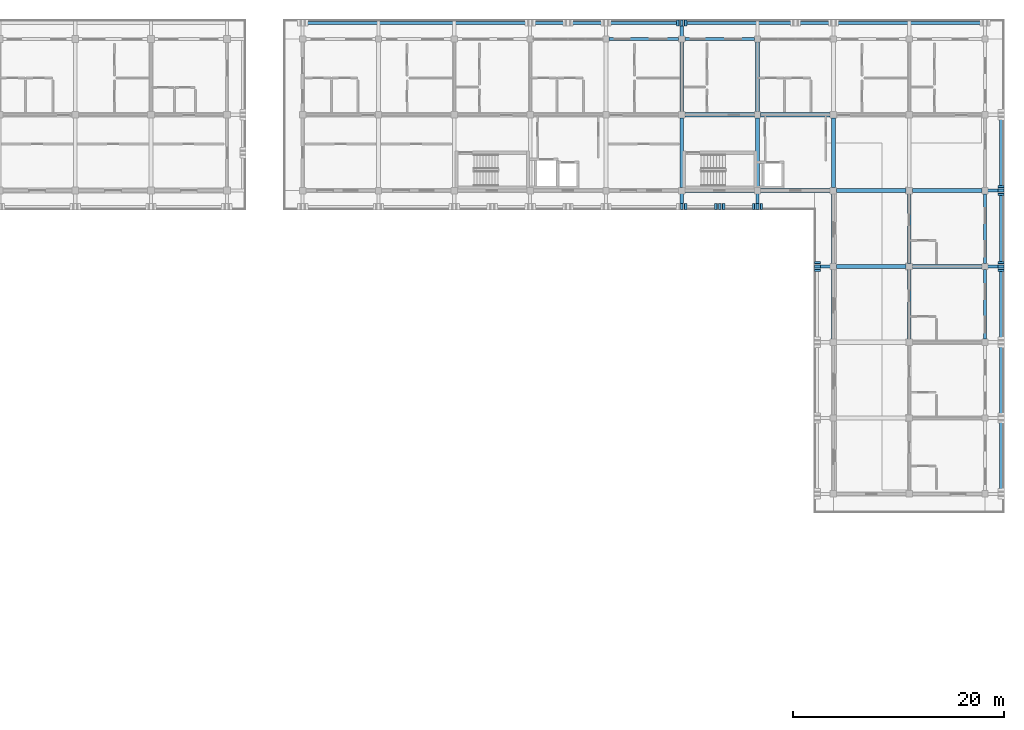
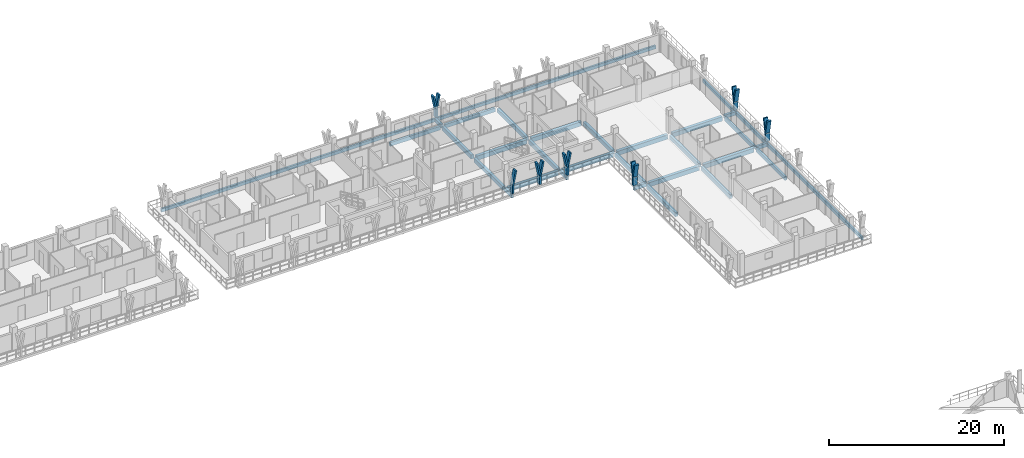
# One storey, part 30 of 76: 29 beams, 20 members.
"""IFC4 building model written with IfcOpenShell, lengths in metres."""

import ifcopenshell
import ifcopenshell.guid

model = None  # the IFC model being written
_history = None  # IfcOwnerHistory: only IFC2X3 demands one
_inside = {}  # id of a spatial element -> (the spatial element, [elements in it])
_under = {}  # id of a project, library or spatial element -> (it, [spatial elements below it])
_declared = {}  # id of a project -> (the project, [libraries it declares])
_typed = {}  # id of a type object -> (the type object, [elements of that type])
_made_of = {}  # id of a material, layer set ... -> (it, [elements and type objects made of it])


def new_model(schema):
    """Start an empty IFC model of exactly this schema.

    Asked for "IFC4X3", IfcOpenShell would pick the latest addendum, in which some entities
    have other attributes; the version numbers below select the first issue.
    IFC2X3 requires an IfcOwnerHistory on every rooted entity: one is made here for all.
    """
    global model, _history
    if schema == "IFC4X3":
        model = ifcopenshell.file(schema_version=(4, 3, 0, 0))
    else:
        model = ifcopenshell.file(schema=schema)
    _inside.clear()
    _under.clear()
    _declared.clear()
    _typed.clear()
    _made_of.clear()
    _history = None
    if model.schema == "IFC2X3":
        org = make("IfcOrganization", Name="unknown")
        user = make(
            "IfcPersonAndOrganization",
            ThePerson=make("IfcPerson", FamilyName="unknown"),
            TheOrganization=org,
        )
        app = make(
            "IfcApplication",
            ApplicationDeveloper=org,
            Version="unknown",
            ApplicationFullName="unknown",
            ApplicationIdentifier="unknown",
        )
        _history = make(
            "IfcOwnerHistory",
            OwningUser=user,
            OwningApplication=app,
            ChangeAction="ADDED",
            CreationDate=0,
        )
    return model


def make(cls, **values):
    """One entity of the class cls with the attributes given. An attribute that is None is left unset."""
    return model.create_entity(
        cls, **{name: value for name, value in values.items() if value is not None}
    )


def rooted(cls, **values):
    """An entity with a GlobalId (a new one), such as an element, a storey or a relation."""
    return make(cls, GlobalId=ifcopenshell.guid.new(), OwnerHistory=_history, **values)


def si_unit(unit_type, name, prefix=None):
    """IfcSIUnit, for example si_unit("LENGTHUNIT", "METRE", prefix="MILLI")."""
    return make("IfcSIUnit", UnitType=unit_type, Prefix=prefix, Name=name)


def assignment(units):
    """IfcUnitAssignment: the units of a project."""
    return None if units is None else make("IfcUnitAssignment", Units=units)


def point(xyz):
    """IfcCartesianPoint."""
    return None if xyz is None else make("IfcCartesianPoint", Coordinates=xyz)


def direction(xyz):
    """IfcDirection."""
    return None if xyz is None else make("IfcDirection", DirectionRatios=xyz)


def frame(location, z_axis=None, x_axis=None):
    """IfcAxis2Placement3D, a coordinate frame: its origin and axes. An axis left out is left unset."""
    return make(
        "IfcAxis2Placement3D",
        Location=point(location),
        Axis=direction(z_axis),
        RefDirection=direction(x_axis),
    )


def frame_2d(location, x_axis=None):
    """IfcAxis2Placement2D, a coordinate frame in the plane: its origin and x axis."""
    return make(
        "IfcAxis2Placement2D", Location=point(location), RefDirection=direction(x_axis)
    )


def origin():
    """The frame at (0, 0, 0) with its axes left unset."""
    return frame((0.0, 0.0, 0.0))


def origin_2d():
    """The frame at (0, 0) in the plane with its x axis left unset."""
    return frame_2d((0.0, 0.0))


def place(relative_to, where):
    """IfcLocalPlacement: puts the frame where relative to a parent placement (None: the world)."""
    return make(
        "IfcLocalPlacement", PlacementRelTo=relative_to, RelativePlacement=where
    )


def context(
    kind, dimensions, precision=None, world=None, true_north=None, identifier=None
):
    """IfcGeometricRepresentationContext, for example the 3D "Model" context."""
    return make(
        "IfcGeometricRepresentationContext",
        ContextIdentifier=identifier,
        ContextType=kind,
        CoordinateSpaceDimension=dimensions,
        Precision=precision,
        WorldCoordinateSystem=world,
        TrueNorth=true_north,
    )


def subcontext(parent, identifier, kind, view, scale=None):
    """IfcGeometricRepresentationSubContext, for example "Body" below "Model"."""
    return make(
        "IfcGeometricRepresentationSubContext",
        ContextIdentifier=identifier,
        ContextType=kind,
        ParentContext=parent,
        TargetScale=scale,
        TargetView=view,
    )


def project(units=None, contexts=None):
    """IfcProject with its units and contexts."""
    return rooted(
        "IfcProject",
        Name="project",
        RepresentationContexts=contexts,
        UnitsInContext=assignment(units),
    )


def spatial(cls, under=None, at=None, **own):
    """A site, building, storey or space (cls), placed at a placement, below another one or the project."""
    s = rooted(cls, ObjectPlacement=at, **own)
    if under is not None:
        _under.setdefault(under.id(), (under, []))[1].append(s)
    return s


def profile(cls, at=None, kind="AREA", **sizes):
    """A parametric profile (cls). Its sizes go by their IFC names, for example OverallWidth=200.0."""
    return make(cls, ProfileType=kind, Position=at, **sizes)


def rectangle(**sizes):
    """IfcRectangleProfileDef."""
    return profile("IfcRectangleProfileDef", **sizes)


def extrude(swept, where, along, depth):
    """IfcExtrudedAreaSolid: the profile swept, set in the frame where, extruded along a direction by depth."""
    return make(
        "IfcExtrudedAreaSolid",
        SweptArea=swept,
        Position=where,
        ExtrudedDirection=direction(along),
        Depth=depth,
    )


def shape(context_of_items, identifier, shape_type, items):
    """IfcShapeRepresentation: the items that make up one representation, for example the "Body"."""
    return make(
        "IfcShapeRepresentation",
        ContextOfItems=context_of_items,
        RepresentationIdentifier=identifier,
        RepresentationType=shape_type,
        Items=items,
    )


def material(Name=None, Category=None):
    """IfcMaterial."""
    return make("IfcMaterial", Name=Name, Category=Category)


def material_profile(
    of_material, cross_section, Name=None, Category=None, Priority=None
):
    """IfcMaterialProfile: a cross section and its material."""
    return make(
        "IfcMaterialProfile",
        Name=Name,
        Material=of_material,
        Profile=cross_section,
        Priority=Priority,
        Category=Category,
    )


def profile_set(profiles, Name=None, composite=None):
    """IfcMaterialProfileSet."""
    return make(
        "IfcMaterialProfileSet",
        Name=Name,
        MaterialProfiles=profiles,
        CompositeProfile=composite,
    )


def made_of(thing, what):
    """Note that an element or type object is made of a material, layer set ...; save() writes the relation."""
    if what is not None:
        _made_of.setdefault(what.id(), (what, []))[1].append(thing)
    return thing


def type_object(cls, material=None, **own):
    """A type object (cls), such as IfcWallType, which elements share."""
    return made_of(rooted(cls, **own), material)


def element(
    cls,
    number,
    at=None,
    inside=None,
    cuts=None,
    type_object=None,
    material=None,
    context=None,
    identifier="Body",
    shape_type=None,
    held_by="IfcProductDefinitionShape",
    body=None,
    shapes=None,
    **own,
):
    """One element of the class cls, such as IfcWall. Its Tag is "e" and its number.

    at: its placement. inside: the storey or other place that contains it. cuts: it is an
    opening in that element (IfcRelVoidsElement). A single representation is given by context,
    identifier, shape_type and body (its items); several are given by shapes. held_by: the class
    of the entity that holds the representations. save() writes the other relations.
    """
    e = rooted(cls, Tag="e%d" % number, ObjectPlacement=at, **own)
    if body is not None:
        shapes = [shape(context, identifier, shape_type, body)]
    if shapes is not None:
        e.Representation = make(held_by, Representations=shapes)
    if inside is not None:
        _inside.setdefault(inside.id(), (inside, []))[1].append(e)
    if cuts is not None:
        rooted(
            "IfcRelVoidsElement", RelatingBuildingElement=cuts, RelatedOpeningElement=e
        )
    if type_object is not None:
        _typed.setdefault(type_object.id(), (type_object, []))[1].append(e)
    return made_of(e, material)


def aggregate(whole, parts):
    """IfcRelAggregates: a whole, such as a stair, and the parts it consists of."""
    return rooted("IfcRelAggregates", RelatingObject=whole, RelatedObjects=parts)


def save(model, path):
    """Write the relations noted so far, then the file.

    IfcRelAggregates (storeys below a building ...), IfcRelContainedInSpatialStructure (elements
    in a storey), IfcRelDefinesByType, IfcRelAssociatesMaterial and IfcRelDeclares: one each for
    every whole, place, type object, material and project.
    """
    for whole, parts in _under.values():
        aggregate(whole, parts)
    for where, things in _inside.values():
        rooted(
            "IfcRelContainedInSpatialStructure",
            RelatedElements=things,
            RelatingStructure=where,
        )
    for kind, things in _typed.values():
        rooted("IfcRelDefinesByType", RelatedObjects=things, RelatingType=kind)
    for what, things in _made_of.values():
        rooted("IfcRelAssociatesMaterial", RelatedObjects=things, RelatingMaterial=what)
    for by, libraries in _declared.values():
        rooted("IfcRelDeclares", RelatingContext=by, RelatedDefinitions=libraries)
    model.write(path)


model = new_model("IFC4")

# Units and contexts
model_context = context("Model", 3, precision=1e-05, world=origin(), true_north=direction((0.0, 1.0)))
body_context = subcontext(model_context, "Body", "Model", "MODEL_VIEW")
ifc_project = project(units=[si_unit("LENGTHUNIT", "METRE"), si_unit("AREAUNIT", "SQUARE_METRE"), si_unit("VOLUMEUNIT", "CUBIC_METRE"), si_unit("PLANEANGLEUNIT", "RADIAN"), si_unit("MASSUNIT", "GRAM", prefix="KILO")], contexts=[model_context])

# Site, building, storey
site_placement = place(None, origin())
site = spatial("IfcSite", under=ifc_project, at=site_placement, CompositionType="ELEMENT")
building_placement = place(site_placement, origin())
building = spatial("IfcBuilding", under=site, at=building_placement, Name="Suanplinth Sawtooth Commons", CompositionType="ELEMENT")
storey_placement = place(building_placement, frame((0.0, 0.0, 12.199951171875)))
storey = spatial("IfcBuildingStorey", under=building, at=storey_placement, Name="L03", CompositionType="ELEMENT", Elevation=12.199951171875)

# Beams
ifc_material_1 = material(Name="Precast concrete C40/50", Category="concrete")
ifc_material_profile_1 = material_profile(ifc_material_1, rectangle(XDim=0.39990234375, YDim=0.60009765625, at=origin_2d()), Name="PC-GDR 400x600")
ifc_profile_set_1 = profile_set([ifc_material_profile_1], Name="Precast concrete C40/50")
beam_type_1 = type_object("IfcBeamType", Name="B-05", PredefinedType="USERDEFINED", material=ifc_profile_set_1)
for number, where, z_axis, x_axis, name in (
    (1, (158.699951171875, 108.0, -0.5400390625), (1.0, 0.0, 0.0), (0.0, 1.0, 0.0), "BMX-L03-B-22-15"),
    (2, (158.699951171875, 115.199951171875, -0.5400390625), (1.0, 0.0, 0.0), (0.0, 1.0, 0.0), "BMX-L03-B-22-16"),
    (3, (165.89990234375, 108.0, -0.5400390625), (1.0, 0.0, 0.0), (0.0, 1.0, 0.0), "BMX-L03-B-23-15"),
    (4, (165.89990234375, 115.199951171875, -0.5400390625), (1.0, 0.0, 0.0), (0.0, 1.0, 0.0), "BMX-L03-B-23-16"),
):
    element("IfcBeam", number, at=place(storey_placement, frame(where, z_axis=z_axis, x_axis=x_axis)), inside=storey, type_object=beam_type_1, Name=name, ObjectType="GIRDER", PredefinedType="USERDEFINED", context=body_context, shape_type="SweptSolid", body=[
        extrude(rectangle(XDim=0.39990234375, YDim=0.60009765625, at=origin_2d()), origin(), (0.0, 0.0, 1.0), 6.60009765625),
    ])
for number, where, z_axis, x_axis, name in (
    (5, (173.10009765625, 100.800048828125, -0.5400390625), (1.0, 0.0, 0.0), (0.0, 1.0, 0.0), "BMX-L03-B-24-14"),
    (6, (173.10009765625, 108.0, -0.5400390625), (1.0, 0.0, 0.0), (0.0, 1.0, 0.0), "BMX-L03-B-24-15"),
    (7, (180.300048828125, 100.800048828125, -0.5400390625), (1.0, 0.0, 0.0), (0.0, 1.0, 0.0), "BMX-L03-B-25-14"),
    (8, (180.300048828125, 108.0, -0.5400390625), (1.0, 0.0, 0.0), (0.0, 1.0, 0.0), "BMX-L03-B-25-15"),
):
    element("IfcBeam", number, at=place(storey_placement, frame(where, z_axis=z_axis, x_axis=x_axis)), inside=storey, type_object=beam_type_1, Name=name, ObjectType="GIRDER", PredefinedType="USERDEFINED", context=body_context, shape_type="SweptSolid", body=[
        extrude(rectangle(XDim=0.39990234375, YDim=0.60009765625, at=origin_2d()), origin(), (0.0, 0.0, 1.0), 6.599853515625),
    ])
ifc_material_profile_2 = material_profile(ifc_material_1, rectangle(XDim=0.35009765625, YDim=0.550048828125, at=origin_2d()), Name="PC-BM 350x550")
ifc_profile_set_2 = profile_set([ifc_material_profile_2], Name="Precast concrete C40/50")
beam_type_2 = type_object("IfcBeamType", Name="B-06", PredefinedType="BEAM", material=ifc_profile_set_2)
beam_1_placement = place(storey_placement, frame((158.39990234375, 108.300048828125, -0.514892578125), z_axis=(0.0, 1.0, 0.0), x_axis=(-1.0, 0.0, 0.0)))
element("IfcBeam", 9, at=beam_1_placement, inside=storey, type_object=beam_type_2, Name="BMY-L03-B-22-15", PredefinedType="BEAM", context=body_context, shape_type="SweptSolid", body=[
    extrude(rectangle(XDim=0.35009765625, YDim=0.550048828125, at=origin_2d()), origin(), (0.0, 0.0, 1.0), 6.599853515625),
])
beam_2_placement = place(storey_placement, frame((158.39990234375, 115.5, -0.514892578125), z_axis=(0.0, 1.0, 0.0), x_axis=(-1.0, 0.0, 0.0)))
element("IfcBeam", 10, at=beam_2_placement, inside=storey, type_object=beam_type_2, Name="BMY-L03-B-22-16", PredefinedType="BEAM", context=body_context, shape_type="SweptSolid", body=[
    extrude(rectangle(XDim=0.35009765625, YDim=0.550048828125, at=origin_2d()), origin(), (0.0, 0.0, 1.0), 6.60009765625),
])
beam_3_placement = place(storey_placement, frame((165.60009765625, 108.300048828125, -0.514892578125), z_axis=(0.0, 1.0, 0.0), x_axis=(-1.0, 0.0, 0.0)))
element("IfcBeam", 11, at=beam_3_placement, inside=storey, type_object=beam_type_2, Name="BMY-L03-B-23-15", PredefinedType="BEAM", context=body_context, shape_type="SweptSolid", body=[
    extrude(rectangle(XDim=0.35009765625, YDim=0.550048828125, at=origin_2d()), origin(), (0.0, 0.0, 1.0), 6.599853515625),
])
for number, where, z_axis, x_axis, name in (
    (12, (165.60009765625, 115.5, -0.514892578125), (0.0, 1.0, 0.0), (-1.0, 0.0, 0.0), "BMY-L03-B-23-16"),
    (13, (172.800048828125, 93.89990234375, -0.514892578125), (0.0, 1.0, 0.0), (-1.0, 0.0, 0.0), "BMY-L03-B-24-13"),
):
    element("IfcBeam", number, at=place(storey_placement, frame(where, z_axis=z_axis, x_axis=x_axis)), inside=storey, type_object=beam_type_2, Name=name, PredefinedType="BEAM", context=body_context, shape_type="SweptSolid", body=[
        extrude(rectangle(XDim=0.35009765625, YDim=0.550048828125, at=origin_2d()), origin(), (0.0, 0.0, 1.0), 6.60009765625),
    ])
for number, where, z_axis, x_axis, name in (
    (14, (172.800048828125, 101.10009765625, -0.514892578125), (0.0, 1.0, 0.0), (-1.0, 0.0, 0.0), "BMY-L03-B-24-14"),
    (15, (172.800048828125, 108.300048828125, -0.514892578125), (0.0, 1.0, 0.0), (-1.0, 0.0, 0.0), "BMY-L03-B-24-15"),
):
    element("IfcBeam", number, at=place(storey_placement, frame(where, z_axis=z_axis, x_axis=x_axis)), inside=storey, type_object=beam_type_2, Name=name, PredefinedType="BEAM", context=body_context, shape_type="SweptSolid", body=[
        extrude(rectangle(XDim=0.35009765625, YDim=0.550048828125, at=origin_2d()), origin(), (0.0, 0.0, 1.0), 6.599853515625),
    ])
beam_4_placement = place(storey_placement, frame((180.0, 93.89990234375, -0.514892578125), z_axis=(0.0, 1.0, 0.0), x_axis=(-1.0, 0.0, 0.0)))
element("IfcBeam", 16, at=beam_4_placement, inside=storey, type_object=beam_type_2, Name="BMY-L03-B-25-13", PredefinedType="BEAM", context=body_context, shape_type="SweptSolid", body=[
    extrude(rectangle(XDim=0.35009765625, YDim=0.550048828125, at=origin_2d()), origin(), (0.0, 0.0, 1.0), 6.60009765625),
])
beam_5_placement = place(storey_placement, frame((180.0, 101.10009765625, -0.514892578125), z_axis=(0.0, 1.0, 0.0), x_axis=(-1.0, 0.0, 0.0)))
element("IfcBeam", 17, at=beam_5_placement, inside=storey, type_object=beam_type_2, Name="BMY-L03-B-25-14", PredefinedType="BEAM", context=body_context, shape_type="SweptSolid", body=[
    extrude(rectangle(XDim=0.35009765625, YDim=0.550048828125, at=origin_2d()), origin(), (0.0, 0.0, 1.0), 6.599853515625),
])
ifc_material_profile_3 = material_profile(ifc_material_1, rectangle(XDim=0.300048828125, YDim=0.5, at=origin_2d()), Name="PC-BM 300x500")
ifc_profile_set_3 = profile_set([ifc_material_profile_3], Name="Precast concrete C40/50")
beam_type_3 = type_object("IfcBeamType", Name="B-07", PredefinedType="BEAM", material=ifc_profile_set_3)
for number, where, z_axis, x_axis, name in (
    (18, (158.39990234375, 122.39990234375, -0.429931640625), (0.0, 1.0, 0.0), (-1.0, 0.0, 0.0), "Balcony Outrigger L03-B-N-22"),
    (19, (187.199951171875, 100.800048828125, -0.429931640625), (1.0, 0.0, 0.0), (0.0, 1.0, 0.0), "Balcony Outrigger L03-B-E-14"),
    (20, (187.199951171875, 108.0, -0.429931640625), (1.0, 0.0, 0.0), (0.0, 1.0, 0.0), "Balcony Outrigger L03-B-E-15"),
):
    element("IfcBeam", number, at=place(storey_placement, frame(where, z_axis=z_axis, x_axis=x_axis)), inside=storey, type_object=beam_type_3, Name=name, PredefinedType="BEAM", context=body_context, shape_type="SweptSolid", body=[
        extrude(rectangle(XDim=0.300048828125, YDim=0.5, at=origin_2d()), origin(), (0.0, 0.0, 1.0), 1.64013671875),
    ])
for number, where, z_axis, x_axis, name in (
    (21, (158.39990234375, 108.0, -0.425048828125), (0.0, -1.0, 0.0), (1.0, 0.0, 0.0), "Balcony Outrigger L03-B-SC-22"),
    (22, (165.60009765625, 108.0, -0.425048828125), (0.0, -1.0, 0.0), (1.0, 0.0, 0.0), "Balcony Outrigger L03-B-SC-23"),
):
    element("IfcBeam", number, at=place(storey_placement, frame(where, z_axis=z_axis, x_axis=x_axis)), inside=storey, type_object=beam_type_3, Name=name, PredefinedType="BEAM", context=body_context, shape_type="SweptSolid", body=[
        extrude(rectangle(XDim=0.300048828125, YDim=0.5, at=origin_2d()), origin(), (0.0, 0.0, 1.0), 1.639892578125),
    ])
beam_6_placement = place(storey_placement, frame((172.800048828125, 100.800048828125, -0.425048828125), z_axis=(-1.0, 0.0, 0.0), x_axis=(0.0, -1.0, 0.0)))
element("IfcBeam", 23, at=beam_6_placement, inside=storey, type_object=beam_type_3, Name="Balcony Outrigger L03-B-WC-14", PredefinedType="BEAM", context=body_context, shape_type="SweptSolid", body=[
    extrude(rectangle(XDim=0.300048828125, YDim=0.5, at=origin_2d()), origin(), (0.0, 0.0, 1.0), 1.64013671875),
])
ifc_material_profile_4 = material_profile(ifc_material_1, rectangle(XDim=0.280029296875, YDim=0.52001953125, at=origin_2d()), Name="PC-SP 280x520")
ifc_profile_set_4 = profile_set([ifc_material_profile_4], Name="Precast concrete C40/50")
beam_type_4 = type_object("IfcBeamType", Name="B-08", PredefinedType="SPANDREL", material=ifc_profile_set_4)
for number, where, z_axis, x_axis, name in (
    (24, (151.5, 122.39990234375, -0.5), (1.0, 0.0, 0.0), (0.0, 1.0, 0.0), "BMX-L03-B-21-17"),
    (25, (158.699951171875, 122.39990234375, -0.5), (1.0, 0.0, 0.0), (0.0, 1.0, 0.0), "BMX-L03-B-22-17"),
    (26, (187.199951171875, 93.89990234375, -0.5), (0.0, 1.0, 0.0), (-1.0, 0.0, 0.0), "BMY-L03-B-26-13"),
):
    element("IfcBeam", number, at=place(storey_placement, frame(where, z_axis=z_axis, x_axis=x_axis)), inside=storey, type_object=beam_type_4, Name=name, PredefinedType="SPANDREL", context=body_context, shape_type="SweptSolid", body=[
        extrude(rectangle(XDim=0.280029296875, YDim=0.52001953125, at=origin_2d()), origin(), (0.0, 0.0, 1.0), 6.60009765625),
    ])
beam_7_placement = place(storey_placement, frame((187.199951171875, 101.10009765625, -0.5), z_axis=(0.0, 1.0, 0.0), x_axis=(-1.0, 0.0, 0.0)))
element("IfcBeam", 27, at=beam_7_placement, inside=storey, type_object=beam_type_4, Name="BMY-L03-B-26-14", PredefinedType="SPANDREL", context=body_context, shape_type="SweptSolid", body=[
    extrude(rectangle(XDim=0.280029296875, YDim=0.52001953125, at=origin_2d()), origin(), (0.0, 0.0, 1.0), 6.599853515625),
])
ifc_material_profile_5 = material_profile(ifc_material_1, rectangle(XDim=0.25, YDim=0.449951171875, at=origin_2d()), Name="PC-SP 250x450")
ifc_profile_set_5 = profile_set([ifc_material_profile_5], Name="Precast concrete C40/50")
beam_type_5 = type_object("IfcBeamType", Name="B-09", PredefinedType="SPANDREL", material=ifc_profile_set_5)
beam_8_placement = place(storey_placement, frame((122.25, 123.919921875, -0.405029296875), z_axis=(1.0, 0.0, 0.0), x_axis=(0.0, 1.0, 0.0)))
element("IfcBeam", 28, at=beam_8_placement, inside=storey, type_object=beam_type_5, Name="Balcony Edge Fascia L03-B-N", PredefinedType="SPANDREL", context=body_context, shape_type="SweptSolid", body=[
    extrude(rectangle(XDim=0.25, YDim=0.449951171875, at=origin_2d()), origin(), (0.0, 0.0, 1.0), 65.10009765625),
])
beam_9_placement = place(storey_placement, frame((188.719970703125, 79.050048828125, -0.405029296875), z_axis=(0.0, 1.0, 0.0), x_axis=(-1.0, 0.0, 0.0)))
element("IfcBeam", 29, at=beam_9_placement, inside=storey, type_object=beam_type_5, Name="Balcony Edge Fascia L03-B-E", PredefinedType="SPANDREL", context=body_context, shape_type="SweptSolid", body=[
    extrude(rectangle(XDim=0.25, YDim=0.449951171875, at=origin_2d()), origin(), (0.0, 0.0, 1.0), 36.300048828125),
])

# Members
ifc_material_2 = material(Name="Pigmented precast concrete C40/50", Category="concrete")
ifc_material_profile_6 = material_profile(ifc_material_2, rectangle(XDim=0.260009765625, YDim=0.550048828125, at=origin_2d()), Name="PC-FIN 260x550")
ifc_profile_set_6 = profile_set([ifc_material_profile_6], Name="Pigmented precast concrete C40/50")
member_type_1 = type_object("IfcMemberType", Name="M-09", PredefinedType="USERDEFINED", material=ifc_profile_set_6)
for number, where, z_axis, x_axis, name in (
    (30, (158.39990234375, 123.919921875, 0.0), (0.0, 0.0, 1.0), (1.0, 0.0, 0.0), "Y-Blade Stem L03-B-N-05"),
    (31, (188.719970703125, 100.800048828125, 0.0), (0.0, 0.0, 1.0), (0.0, 1.0, 0.0), "Y-Blade Stem L03-B-E-12"),
    (32, (188.719970703125, 108.0, 0.0), (0.0, 0.0, 1.0), (0.0, 1.0, 0.0), "Y-Blade Stem L03-B-E-13"),
    (33, (158.39990234375, 106.47998046875, 0.0), (0.0, 0.0, 1.0), (1.0, 0.0, 0.0), "Y-Blade Stem L03-B-SC-22"),
    (34, (162.0, 106.47998046875, 0.0), (0.0, 0.0, 1.0), (1.0, 0.0, 0.0), "Y-Blade Stem L03-B-SC-23"),
    (35, (165.60009765625, 106.47998046875, 0.0), (0.0, 0.0, 1.0), (1.0, 0.0, 0.0), "Y-Blade Stem L03-B-SC-24"),
    (36, (171.280029296875, 100.800048828125, 0.0), (0.0, 0.0, 1.0), (0.0, 1.0, 0.0), "Y-Blade Stem L03-B-WC-28"),
):
    element("IfcMember", number, at=place(storey_placement, frame(where, z_axis=z_axis, x_axis=x_axis)), inside=storey, type_object=member_type_1, Name=name, ObjectType="SHADING FIN", PredefinedType="USERDEFINED", context=body_context, shape_type="SweptSolid", body=[
        extrude(rectangle(XDim=0.260009765625, YDim=0.550048828125, at=origin_2d()), origin(), (0.0, 0.0, 1.0), 1.170166015625),
    ])
ifc_material_profile_7 = material_profile(ifc_material_2, rectangle(XDim=0.219970703125, YDim=0.550048828125, at=origin_2d()), Name="PC-FIN 220x550")
ifc_profile_set_7 = profile_set([ifc_material_profile_7], Name="Pigmented precast concrete C40/50")
member_type_2 = type_object("IfcMemberType", Name="M-10", PredefinedType="USERDEFINED", material=ifc_profile_set_7)
member_1_placement = place(storey_placement, frame((158.39990234375, 123.919921875, 1.130126953125), z_axis=(-0.196309979414, 0.0, 0.980541886909), x_axis=(0.980541886909, 0.0, 0.196309979414)))
element("IfcMember", 37, at=member_1_placement, inside=storey, type_object=member_type_2, Name="Y-Blade Arm L L03-B-N-05", ObjectType="SHADING FIN", PredefinedType="USERDEFINED", context=body_context, shape_type="SweptSolid", body=[
    extrude(rectangle(XDim=0.219970703125, YDim=0.550048828125, at=origin_2d()), origin(), (0.0, 0.0, 1.0), 1.9375),
])
for number, where, z_axis, x_axis, name in (
    (38, (158.39990234375, 123.919921875, 1.130126953125), (0.196431120402, 0.0, 0.980517626021), (-0.980517626021, 0.0, 0.196431120402), "Y-Blade Arm R L03-B-N-05"),
    (39, (188.719970703125, 100.800048828125, 1.130126953125), (0.0, -0.196431120402, 0.980517626021), (0.0, 0.980517626021, 0.196431120402), "Y-Blade Arm L L03-B-E-12"),
):
    element("IfcMember", number, at=place(storey_placement, frame(where, z_axis=z_axis, x_axis=x_axis)), inside=storey, type_object=member_type_2, Name=name, ObjectType="SHADING FIN", PredefinedType="USERDEFINED", context=body_context, shape_type="SweptSolid", body=[
        extrude(rectangle(XDim=0.219970703125, YDim=0.550048828125, at=origin_2d()), origin(), (0.0, 0.0, 1.0), 1.937744140625),
    ])
member_2_placement = place(storey_placement, frame((188.719970703125, 100.800048828125, 1.130126953125), z_axis=(0.0, 0.196309979414, 0.980541886909), x_axis=(0.0, -0.980541886909, 0.196309979414)))
element("IfcMember", 40, at=member_2_placement, inside=storey, type_object=member_type_2, Name="Y-Blade Arm R L03-B-E-12", ObjectType="SHADING FIN", PredefinedType="USERDEFINED", context=body_context, shape_type="SweptSolid", body=[
    extrude(rectangle(XDim=0.219970703125, YDim=0.550048828125, at=origin_2d()), origin(), (0.0, 0.0, 1.0), 1.9375),
])
for number, where, z_axis, x_axis, name in (
    (41, (188.719970703125, 108.0, 1.130126953125), (0.0, -0.196431120402, 0.980517626021), (0.0, 0.980517626021, 0.196431120402), "Y-Blade Arm L L03-B-E-13"),
    (42, (188.719970703125, 108.0, 1.130126953125), (0.0, 0.196431120402, 0.980517626021), (0.0, -0.980517626021, 0.196431120402), "Y-Blade Arm R L03-B-E-13"),
    (43, (158.39990234375, 106.47998046875, 1.130126953125), (0.196431120402, 0.0, 0.980517626021), (-0.980517626021, 0.0, 0.196431120402), "Y-Blade Arm R L03-B-SC-22"),
    (44, (162.0, 106.47998046875, 1.130126953125), (-0.196431120402, 0.0, 0.980517626021), (0.980517626021, 0.0, 0.196431120402), "Y-Blade Arm L L03-B-SC-23"),
    (45, (162.0, 106.47998046875, 1.130126953125), (0.196431120402, 0.0, 0.980517626021), (-0.980517626021, 0.0, 0.196431120402), "Y-Blade Arm R L03-B-SC-23"),
    (46, (165.60009765625, 106.47998046875, 1.130126953125), (-0.196431120402, 0.0, 0.980517626021), (0.980517626021, 0.0, 0.196431120402), "Y-Blade Arm L L03-B-SC-24"),
):
    element("IfcMember", number, at=place(storey_placement, frame(where, z_axis=z_axis, x_axis=x_axis)), inside=storey, type_object=member_type_2, Name=name, ObjectType="SHADING FIN", PredefinedType="USERDEFINED", context=body_context, shape_type="SweptSolid", body=[
        extrude(rectangle(XDim=0.219970703125, YDim=0.550048828125, at=origin_2d()), origin(), (0.0, 0.0, 1.0), 1.937744140625),
    ])
member_3_placement = place(storey_placement, frame((165.60009765625, 106.47998046875, 1.130126953125), z_axis=(0.196309979414, 0.0, 0.980541886909), x_axis=(-0.980541886909, 0.0, 0.196309979414)))
element("IfcMember", 47, at=member_3_placement, inside=storey, type_object=member_type_2, Name="Y-Blade Arm R L03-B-SC-24", ObjectType="SHADING FIN", PredefinedType="USERDEFINED", context=body_context, shape_type="SweptSolid", body=[
    extrude(rectangle(XDim=0.219970703125, YDim=0.550048828125, at=origin_2d()), origin(), (0.0, 0.0, 1.0), 1.9375),
])
member_4_placement = place(storey_placement, frame((171.280029296875, 100.800048828125, 1.130126953125), z_axis=(0.0, -0.196431120402, 0.980517626021), x_axis=(0.0, 0.980517626021, 0.196431120402)))
element("IfcMember", 48, at=member_4_placement, inside=storey, type_object=member_type_2, Name="Y-Blade Arm L L03-B-WC-28", ObjectType="SHADING FIN", PredefinedType="USERDEFINED", context=body_context, shape_type="SweptSolid", body=[
    extrude(rectangle(XDim=0.219970703125, YDim=0.550048828125, at=origin_2d()), origin(), (0.0, 0.0, 1.0), 1.937744140625),
])
member_5_placement = place(storey_placement, frame((171.280029296875, 100.800048828125, 1.130126953125), z_axis=(0.0, 0.196309979414, 0.980541886909), x_axis=(0.0, -0.980541886909, 0.196309979414)))
element("IfcMember", 49, at=member_5_placement, inside=storey, type_object=member_type_2, Name="Y-Blade Arm R L03-B-WC-28", ObjectType="SHADING FIN", PredefinedType="USERDEFINED", context=body_context, shape_type="SweptSolid", body=[
    extrude(rectangle(XDim=0.219970703125, YDim=0.550048828125, at=origin_2d()), origin(), (0.0, 0.0, 1.0), 1.9375),
])

save(model, "model.ifc")
